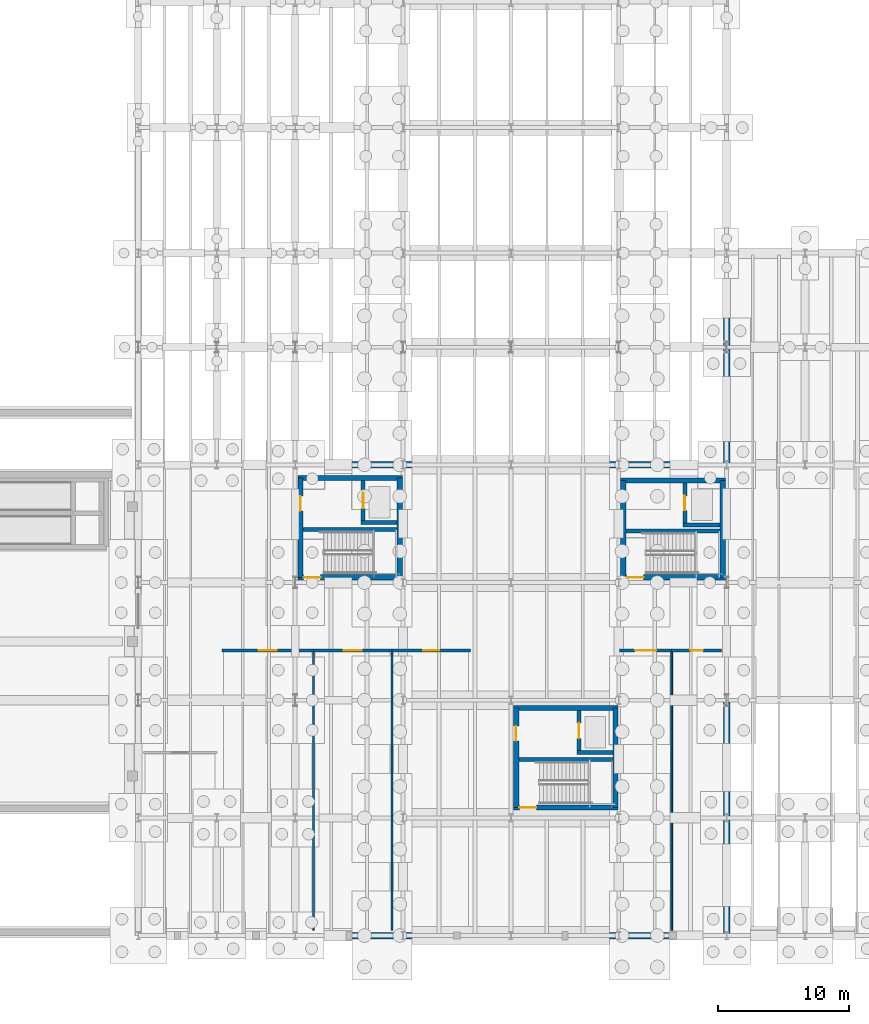
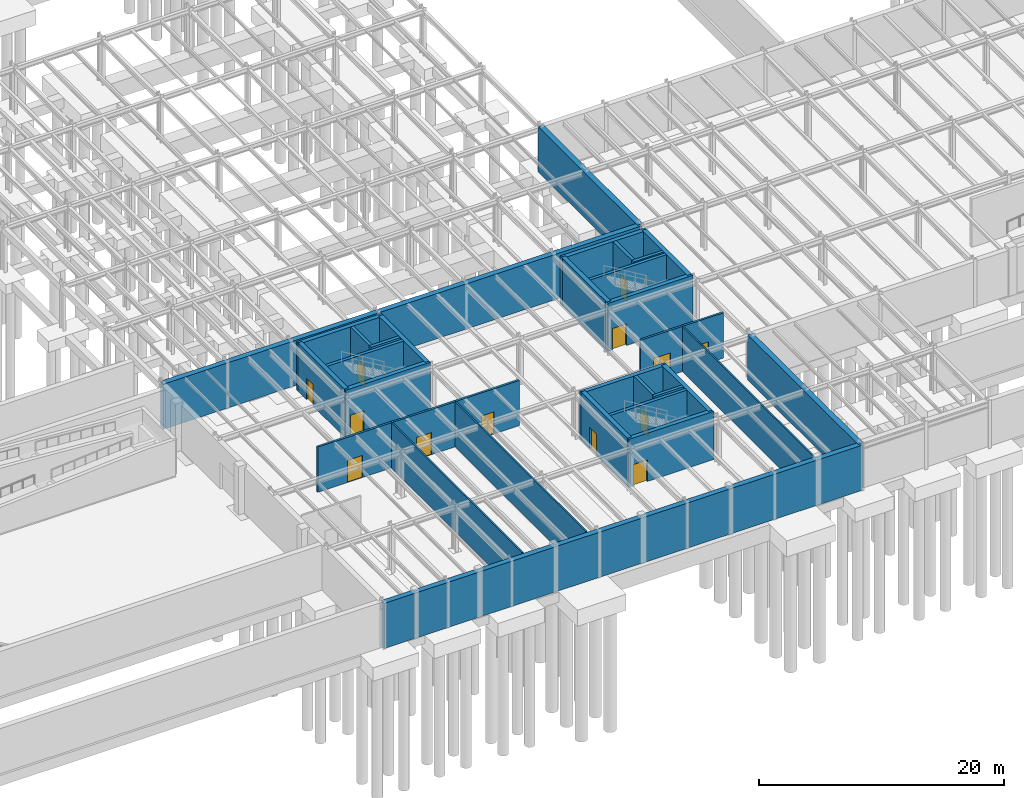
# One storey, part 43 of 59: 33 walls, 13 doors, 13 openings.
"""IFC4 building model written with IfcOpenShell, lengths in metres."""

from ifc_helpers import new_model, si_unit, direction, frame, frame_2d, origin, place, context, subcontext, project, spatial, rectangle, extrude, material, layer, layer_set, type_object, element, fill, save


model = new_model("IFC4")

# Units and contexts
model_context = context("Model", 3, precision=1e-05, world=origin(), true_north=direction((0.0, 1.0)))
body_context = subcontext(model_context, "Body", "Model", "MODEL_VIEW")
ifc_project = project(units=[si_unit("LENGTHUNIT", "METRE"), si_unit("AREAUNIT", "SQUARE_METRE"), si_unit("VOLUMEUNIT", "CUBIC_METRE"), si_unit("PLANEANGLEUNIT", "RADIAN"), si_unit("MASSUNIT", "GRAM", prefix="KILO")], contexts=[model_context])

# Site, building, storey
site_placement = place(None, origin())
site = spatial("IfcSite", under=ifc_project, at=site_placement, CompositionType="ELEMENT")
building_placement = place(site_placement, origin())
building = spatial("IfcBuilding", under=site, at=building_placement, Name="Montealbar Specialist Clinic", CompositionType="ELEMENT")
storey_placement = place(building_placement, frame((0.0, 0.0, -4.800048828125)))
storey = spatial("IfcBuildingStorey", under=building, at=storey_placement, Name="B01", CompositionType="ELEMENT", Elevation=-4.800048828125)

# Walls
ifc_material_1 = material(Name="Concrete C35/45", Category="concrete")
ifc_layer_1 = layer(ifc_material_1, 0.300048828125, Name="Concrete C35/45", Category="concrete")
ifc_layer_set_1 = layer_set([ifc_layer_1], Name="Concrete C35/45")
wall_type_1 = type_object("IfcWallType", Name="WL-CORE-300", PredefinedType="SHEAR", material=ifc_layer_set_1)
wall_1_placement = place(storey_placement, frame((66.60009765625, 31.050048828125, 0.0), z_axis=(0.0, 0.0, 1.0), x_axis=(1.0, 0.0, 0.0)))
element("IfcWall", 1, at=wall_1_placement, inside=storey, type_object=wall_type_1, Name="Core C3 Stairwell Wall B01", PredefinedType="SHEAR", context=body_context, shape_type="SweptSolid", body=[
    extrude(rectangle(XDim=7.199951171875, YDim=0.300048828125, at=frame_2d((3.60009765625, 0.0))), origin(), (0.0, 0.0, 1.0), 4.800048828125),
])
wall_2_placement = place(storey_placement, frame((71.050048828125, 31.60009765625, 0.0), z_axis=(0.0, 0.0, 1.0), x_axis=(1.0, 0.0, 0.0)))
element("IfcWall", 2, at=wall_2_placement, inside=storey, type_object=wall_type_1, Name="Lift FL-01 Shaft Wall B01 LS", PredefinedType="SHEAR", context=body_context, shape_type="SweptSolid", body=[
    extrude(rectangle(XDim=2.75, YDim=0.300048828125, at=frame_2d((1.375, 0.0))), origin(), (0.0, 0.0, 1.0), 4.800048828125),
])

# Wall, opening, door
wall_3_placement = place(storey_placement, frame((71.199951171875, 31.75, 0.0), z_axis=(0.0, 0.0, 1.0), x_axis=(0.0, 1.0, 0.0)))
wall_3 = element("IfcWall", 3, at=wall_3_placement, inside=storey, type_object=wall_type_1, Name="Lift FL-01 Shaft Wall B01 LW", PredefinedType="SHEAR", context=body_context, shape_type="SweptSolid", body=[
    extrude(rectangle(XDim=3.050048828125, YDim=0.300048828125, at=frame_2d((1.52490234375, 0.0))), origin(), (0.0, 0.0, 1.0), 4.800048828125),
])
opening_1_placement = place(wall_3_placement, frame((0.925048828125, 0.0, 0.0)))
opening_1 = element("IfcOpeningElement", 4, at=opening_1_placement, cuts=wall_3, Name="Opening LD-12", PredefinedType="OPENING", context=body_context, shape_type="SweptSolid", body=[
    extrude(rectangle(XDim=1.199951171875, YDim=2.14990234375, at=frame_2d((0.60009765625, 1.074951171875))), frame((0.0, 0.159912109375, 0.0), z_axis=(0.0, -1.0, 0.0), x_axis=(1.0, 0.0, 0.0)), (0.0, 0.0, 1.0), 0.320068359375),
])
ifc_material_2 = material(Name="Steel S355", Category="steel")
door_type_1 = type_object("IfcDoorType", Name="DR-LIFT-LD1200", OperationType="DOUBLE_DOOR_SLIDING", PredefinedType="DOOR", material=ifc_material_2)
door_1_placement = place(opening_1_placement, origin())
door_1 = element("IfcDoor", 5, at=door_1_placement, inside=storey, type_object=door_type_1, Name="Lift FL-01 Sliding Landing Door B01", OperationType="DOUBLE_DOOR_SLIDING", OverallHeight=2.14990234375, OverallWidth=1.199951171875, PredefinedType="DOOR", context=body_context, shape_type="SweptSolid", body=[
    extrude(rectangle(XDim=1.199951171875, YDim=2.14990234375, at=frame_2d((0.60009765625, 1.074951171875))), frame((0.0, 0.02490234375, 0.0), z_axis=(0.0, -1.0, 0.0), x_axis=(1.0, 0.0, 0.0)), (0.0, 0.0, 1.0), 0.050048828125),
])
fill(opening_1, door_1)

# Walls
wall_4_placement = place(storey_placement, frame((83.10009765625, 13.449951171875, 0.0), z_axis=(0.0, 0.0, 1.0), x_axis=(1.0, 0.0, 0.0)))
element("IfcWall", 6, at=wall_4_placement, inside=storey, type_object=wall_type_1, Name="Core C4 Stairwell Wall B01", PredefinedType="SHEAR", context=body_context, shape_type="SweptSolid", body=[
    extrude(rectangle(XDim=7.199951171875, YDim=0.300048828125, at=frame_2d((3.60009765625, 0.0))), origin(), (0.0, 0.0, 1.0), 4.800048828125),
])
wall_5_placement = place(storey_placement, frame((87.550048828125, 14.0, 0.0), z_axis=(0.0, 0.0, 1.0), x_axis=(1.0, 0.0, 0.0)))
element("IfcWall", 7, at=wall_5_placement, inside=storey, type_object=wall_type_1, Name="Lift FL-02 Shaft Wall B01 LS", PredefinedType="SHEAR", context=body_context, shape_type="SweptSolid", body=[
    extrude(rectangle(XDim=2.75, YDim=0.300048828125, at=frame_2d((1.375, 0.0))), origin(), (0.0, 0.0, 1.0), 4.800048828125),
])

# Wall, opening, door
wall_6_placement = place(storey_placement, frame((87.699951171875, 14.14990234375, 0.0), z_axis=(0.0, 0.0, 1.0), x_axis=(0.0, 1.0, 0.0)))
wall_6 = element("IfcWall", 8, at=wall_6_placement, inside=storey, type_object=wall_type_1, Name="Lift FL-02 Shaft Wall B01 LW", PredefinedType="SHEAR", context=body_context, shape_type="SweptSolid", body=[
    extrude(rectangle(XDim=3.050048828125, YDim=0.300048828125, at=frame_2d((1.52490234375, 0.0))), origin(), (0.0, 0.0, 1.0), 4.800048828125),
])
opening_2_placement = place(wall_6_placement, frame((0.925048828125, 0.0, 0.0)))
opening_2 = element("IfcOpeningElement", 9, at=opening_2_placement, cuts=wall_6, Name="Opening LD-12", PredefinedType="OPENING", context=body_context, shape_type="SweptSolid", body=[
    extrude(rectangle(XDim=1.199951171875, YDim=2.14990234375, at=frame_2d((0.60009765625, 1.074951171875))), frame((0.0, 0.159912109375, 0.0), z_axis=(0.0, -1.0, 0.0), x_axis=(1.0, 0.0, 0.0)), (0.0, 0.0, 1.0), 0.320068359375),
])
door_2_placement = place(opening_2_placement, origin())
door_2 = element("IfcDoor", 10, at=door_2_placement, inside=storey, type_object=door_type_1, Name="Lift FL-02 Sliding Landing Door B01", OperationType="DOUBLE_DOOR_SLIDING", OverallHeight=2.14990234375, OverallWidth=1.199951171875, PredefinedType="DOOR", context=body_context, shape_type="SweptSolid", body=[
    extrude(rectangle(XDim=1.199951171875, YDim=2.14990234375, at=frame_2d((0.60009765625, 1.074951171875))), frame((0.0, 0.02490234375, 0.0), z_axis=(0.0, -1.0, 0.0), x_axis=(1.0, 0.0, 0.0)), (0.0, 0.0, 1.0), 0.050048828125),
])
fill(opening_2, door_2)

# Walls
wall_7_placement = place(storey_placement, frame((91.300048828125, 30.949951171875, 0.0), z_axis=(0.0, 0.0, 1.0), x_axis=(1.0, 0.0, 0.0)))
element("IfcWall", 11, at=wall_7_placement, inside=storey, type_object=wall_type_1, Name="Core C5 Stairwell Wall B01", PredefinedType="SHEAR", context=body_context, shape_type="SweptSolid", body=[
    extrude(rectangle(XDim=7.199951171875, YDim=0.300048828125, at=frame_2d((3.60009765625, 0.0))), origin(), (0.0, 0.0, 1.0), 4.800048828125),
])
wall_8_placement = place(storey_placement, frame((95.64990234375, 31.39990234375, 0.0), z_axis=(0.0, 0.0, 1.0), x_axis=(1.0, 0.0, 0.0)))
element("IfcWall", 12, at=wall_8_placement, inside=storey, type_object=wall_type_1, Name="Lift LF-03 Shaft Wall B01 LS", PredefinedType="SHEAR", context=body_context, shape_type="SweptSolid", body=[
    extrude(rectangle(XDim=2.85009765625, YDim=0.300048828125, at=frame_2d((1.425048828125, 0.0))), origin(), (0.0, 0.0, 1.0), 4.800048828125),
])

# Wall, opening, door
wall_9_placement = place(storey_placement, frame((95.800048828125, 31.550048828125, 0.0), z_axis=(0.0, 0.0, 1.0), x_axis=(0.0, 1.0, 0.0)))
wall_9 = element("IfcWall", 13, at=wall_9_placement, inside=storey, type_object=wall_type_1, Name="Lift LF-03 Shaft Wall B01 LW", PredefinedType="SHEAR", context=body_context, shape_type="SweptSolid", body=[
    extrude(rectangle(XDim=3.050048828125, YDim=0.300048828125, at=frame_2d((1.52490234375, 0.0))), origin(), (0.0, 0.0, 1.0), 4.800048828125),
])
opening_3_placement = place(wall_9_placement, frame((0.97509765625, 0.0, 0.0)))
opening_3 = element("IfcOpeningElement", 14, at=opening_3_placement, cuts=wall_9, Name="Opening LD-11", PredefinedType="OPENING", context=body_context, shape_type="SweptSolid", body=[
    extrude(rectangle(XDim=1.10009765625, YDim=2.14990234375, at=frame_2d((0.550048828125, 1.074951171875))), frame((0.0, 0.159912109375, 0.0), z_axis=(0.0, -1.0, 0.0), x_axis=(1.0, 0.0, 0.0)), (0.0, 0.0, 1.0), 0.320068359375),
])
door_type_2 = type_object("IfcDoorType", Name="DR-LIFT-LD1100", OperationType="DOUBLE_DOOR_SLIDING", PredefinedType="DOOR", material=ifc_material_2)
door_3_placement = place(opening_3_placement, origin())
door_3 = element("IfcDoor", 15, at=door_3_placement, inside=storey, type_object=door_type_2, Name="Lift LF-03 Sliding Landing Door B01", OperationType="DOUBLE_DOOR_SLIDING", OverallHeight=2.14990234375, OverallWidth=1.10009765625, PredefinedType="DOOR", context=body_context, shape_type="SweptSolid", body=[
    extrude(rectangle(XDim=1.10009765625, YDim=2.14990234375, at=frame_2d((0.550048828125, 1.074951171875))), frame((0.0, 0.02490234375, 0.0), z_axis=(0.0, -1.0, 0.0), x_axis=(1.0, 0.0, 0.0)), (0.0, 0.0, 1.0), 0.050048828125),
])
fill(opening_3, door_3)

ifc_layer_2 = layer(ifc_material_1, 0.39990234375, Name="Concrete C35/45", Category="concrete")
ifc_layer_set_2 = layer_set([ifc_layer_2], Name="Concrete C35/45")
wall_type_2 = type_object("IfcWallType", Name="WL-CORE-400", PredefinedType="SHEAR", material=ifc_layer_set_2)
wall_10_placement = place(storey_placement, frame((66.199951171875, 27.39990234375, 0.0), z_axis=(0.0, 0.0, 1.0), x_axis=(1.0, 0.0, 0.0)))
wall_10 = element("IfcWall", 16, at=wall_10_placement, inside=storey, type_object=wall_type_2, Name="Core C3 Shear Wall B01 S", PredefinedType="SHEAR", context=body_context, shape_type="SweptSolid", body=[
    extrude(rectangle(XDim=8.0, YDim=0.39990234375, at=frame_2d((4.0, 0.0))), origin(), (0.0, 0.0, 1.0), 4.800048828125),
])
opening_4_placement = place(wall_10_placement, frame((0.449951171875, 0.0, 0.0)))
opening_4 = element("IfcOpeningElement", 17, at=opening_4_placement, cuts=wall_10, Name="Opening SD-13", PredefinedType="OPENING", context=body_context, shape_type="SweptSolid", body=[
    extrude(rectangle(XDim=1.300048828125, YDim=2.14990234375, at=frame_2d((0.64990234375, 1.074951171875))), frame((0.0, 0.2099609375, 0.0), z_axis=(0.0, -1.0, 0.0), x_axis=(1.0, 0.0, 0.0)), (0.0, 0.0, 1.0), 0.419921875),
])
door_type_3 = type_object("IfcDoorType", Name="DR-STAIR-W1300", OperationType="NOTDEFINED", PredefinedType="DOOR", material=ifc_material_2)
door_4_placement = place(opening_4_placement, frame((1.300048828125, 0.0, 0.0), z_axis=(0.0, 0.0, 1.0), x_axis=(-1.0, 0.0, 0.0)))
door_4 = element("IfcDoor", 18, at=door_4_placement, inside=storey, type_object=door_type_3, Name="Protected Core C3 Stair Fire Door B01", OperationType="SINGLE_SWING_RIGHT", OverallHeight=2.14990234375, OverallWidth=1.300048828125, PredefinedType="DOOR", context=body_context, shape_type="SweptSolid", body=[
    extrude(rectangle(XDim=1.300048828125, YDim=2.14990234375, at=frame_2d((0.64990234375, 1.074951171875))), frame((0.0, 0.02490234375, 0.0), z_axis=(0.0, -1.0, 0.0), x_axis=(1.0, 0.0, 0.0)), (0.0, 0.0, 1.0), 0.050048828125),
])
fill(opening_4, door_4)

# Wall
wall_11_placement = place(storey_placement, frame((66.199951171875, 35.0, 0.0), z_axis=(0.0, 0.0, 1.0), x_axis=(1.0, 0.0, 0.0)))
element("IfcWall", 19, at=wall_11_placement, inside=storey, type_object=wall_type_2, Name="Core C3 Shear Wall B01 N", PredefinedType="SHEAR", context=body_context, shape_type="SweptSolid", body=[
    extrude(rectangle(XDim=8.0, YDim=0.39990234375, at=frame_2d((4.0, 0.0))), origin(), (0.0, 0.0, 1.0), 4.800048828125),
])

# Wall, opening, door
wall_12_placement = place(storey_placement, frame((66.39990234375, 27.39990234375, 0.0), z_axis=(0.0, 0.0, 1.0), x_axis=(0.0, 1.0, 0.0)))
wall_12 = element("IfcWall", 20, at=wall_12_placement, inside=storey, type_object=wall_type_2, Name="Core C3 Shear Wall B01 W", PredefinedType="SHEAR", context=body_context, shape_type="SweptSolid", body=[
    extrude(rectangle(XDim=7.60009765625, YDim=0.39990234375, at=frame_2d((3.800048828125, 0.0))), origin(), (0.0, 0.0, 1.0), 4.800048828125),
])
opening_5_placement = place(wall_12_placement, frame((5.090087890625, 0.0, 0.0)))
opening_5 = element("IfcOpeningElement", 21, at=opening_5_placement, cuts=wall_12, Name="Opening FD-110", PredefinedType="OPENING", context=body_context, shape_type="SweptSolid", body=[
    extrude(rectangle(XDim=1.1201171875, YDim=2.14990234375, at=frame_2d((0.56005859375, 1.074951171875))), frame((0.0, 0.2099609375, 0.0), z_axis=(0.0, -1.0, 0.0), x_axis=(1.0, 0.0, 0.0)), (0.0, 0.0, 1.0), 0.419921875),
])
door_type_4 = type_object("IfcDoorType", Name="DR-FIRE-W1100", OperationType="NOTDEFINED", PredefinedType="DOOR", material=ifc_material_2)
door_5_placement = place(opening_5_placement, origin())
door_5 = element("IfcDoor", 22, at=door_5_placement, inside=storey, type_object=door_type_4, Name="Firefighting Lobby C3 Entrance Door B01", OperationType="SINGLE_SWING_RIGHT", OverallHeight=2.14990234375, OverallWidth=1.1201171875, PredefinedType="DOOR", context=body_context, shape_type="SweptSolid", body=[
    extrude(rectangle(XDim=1.1201171875, YDim=2.14990234375, at=frame_2d((0.56005859375, 1.074951171875))), frame((0.0, 0.02490234375, 0.0), z_axis=(0.0, -1.0, 0.0), x_axis=(1.0, 0.0, 0.0)), (0.0, 0.0, 1.0), 0.050048828125),
])
fill(opening_5, door_5)

# Wall
wall_13_placement = place(storey_placement, frame((74.0, 27.39990234375, 0.0), z_axis=(0.0, 0.0, 1.0), x_axis=(0.0, 1.0, 0.0)))
element("IfcWall", 23, at=wall_13_placement, inside=storey, type_object=wall_type_2, Name="Core C3 Shear Wall B01 E", PredefinedType="SHEAR", context=body_context, shape_type="SweptSolid", body=[
    extrude(rectangle(XDim=7.60009765625, YDim=0.39990234375, at=frame_2d((3.800048828125, 0.0))), origin(), (0.0, 0.0, 1.0), 4.800048828125),
])

# Wall, opening, door
wall_14_placement = place(storey_placement, frame((82.699951171875, 9.800048828125, 0.0), z_axis=(0.0, 0.0, 1.0), x_axis=(1.0, 0.0, 0.0)))
wall_14 = element("IfcWall", 24, at=wall_14_placement, inside=storey, type_object=wall_type_2, Name="Core C4 Shear Wall B01 S", PredefinedType="SHEAR", context=body_context, shape_type="SweptSolid", body=[
    extrude(rectangle(XDim=8.0, YDim=0.39990234375, at=frame_2d((4.0, 0.0))), origin(), (0.0, 0.0, 1.0), 4.800048828125),
])
opening_6_placement = place(wall_14_placement, frame((0.449951171875, 0.0, 0.0)))
opening_6 = element("IfcOpeningElement", 25, at=opening_6_placement, cuts=wall_14, Name="Opening SD-13", PredefinedType="OPENING", context=body_context, shape_type="SweptSolid", body=[
    extrude(rectangle(XDim=1.300048828125, YDim=2.14990234375, at=frame_2d((0.64990234375, 1.074951171875))), frame((0.0, 0.2099609375, 0.0), z_axis=(0.0, -1.0, 0.0), x_axis=(1.0, 0.0, 0.0)), (0.0, 0.0, 1.0), 0.419921875),
])
door_6_placement = place(opening_6_placement, frame((1.300048828125, 0.0, 0.0), z_axis=(0.0, 0.0, 1.0), x_axis=(-1.0, 0.0, 0.0)))
door_6 = element("IfcDoor", 26, at=door_6_placement, inside=storey, type_object=door_type_3, Name="Protected Core C4 Stair Fire Door B01", OperationType="SINGLE_SWING_RIGHT", OverallHeight=2.14990234375, OverallWidth=1.300048828125, PredefinedType="DOOR", context=body_context, shape_type="SweptSolid", body=[
    extrude(rectangle(XDim=1.300048828125, YDim=2.14990234375, at=frame_2d((0.64990234375, 1.074951171875))), frame((0.0, 0.02490234375, 0.0), z_axis=(0.0, -1.0, 0.0), x_axis=(1.0, 0.0, 0.0)), (0.0, 0.0, 1.0), 0.050048828125),
])
fill(opening_6, door_6)

# Wall
wall_15_placement = place(storey_placement, frame((82.699951171875, 17.39990234375, 0.0), z_axis=(0.0, 0.0, 1.0), x_axis=(1.0, 0.0, 0.0)))
element("IfcWall", 27, at=wall_15_placement, inside=storey, type_object=wall_type_2, Name="Core C4 Shear Wall B01 N", PredefinedType="SHEAR", context=body_context, shape_type="SweptSolid", body=[
    extrude(rectangle(XDim=8.0, YDim=0.39990234375, at=frame_2d((4.0, 0.0))), origin(), (0.0, 0.0, 1.0), 4.800048828125),
])

# Wall, opening, door
wall_16_placement = place(storey_placement, frame((82.89990234375, 9.800048828125, 0.0), z_axis=(0.0, 0.0, 1.0), x_axis=(0.0, 1.0, 0.0)))
wall_16 = element("IfcWall", 28, at=wall_16_placement, inside=storey, type_object=wall_type_2, Name="Core C4 Shear Wall B01 W", PredefinedType="SHEAR", context=body_context, shape_type="SweptSolid", body=[
    extrude(rectangle(XDim=7.599853515625, YDim=0.39990234375, at=frame_2d((3.7998046875, 0.0))), origin(), (0.0, 0.0, 1.0), 4.800048828125),
])
opening_7_placement = place(wall_16_placement, frame((5.090087890625, 0.0, 0.0)))
opening_7 = element("IfcOpeningElement", 29, at=opening_7_placement, cuts=wall_16, Name="Opening FD-110", PredefinedType="OPENING", context=body_context, shape_type="SweptSolid", body=[
    extrude(rectangle(XDim=1.1201171875, YDim=2.14990234375, at=frame_2d((0.56005859375, 1.074951171875))), frame((0.0, 0.2099609375, 0.0), z_axis=(0.0, -1.0, 0.0), x_axis=(1.0, 0.0, 0.0)), (0.0, 0.0, 1.0), 0.419921875),
])
door_7_placement = place(opening_7_placement, origin())
door_7 = element("IfcDoor", 30, at=door_7_placement, inside=storey, type_object=door_type_4, Name="Firefighting Lobby C4 Entrance Door B01", OperationType="SINGLE_SWING_RIGHT", OverallHeight=2.14990234375, OverallWidth=1.1201171875, PredefinedType="DOOR", context=body_context, shape_type="SweptSolid", body=[
    extrude(rectangle(XDim=1.1201171875, YDim=2.14990234375, at=frame_2d((0.56005859375, 1.074951171875))), frame((0.0, 0.02490234375, 0.0), z_axis=(0.0, -1.0, 0.0), x_axis=(1.0, 0.0, 0.0)), (0.0, 0.0, 1.0), 0.050048828125),
])
fill(opening_7, door_7)

# Wall
wall_17_placement = place(storey_placement, frame((90.5, 9.800048828125, 0.0), z_axis=(0.0, 0.0, 1.0), x_axis=(0.0, 1.0, 0.0)))
element("IfcWall", 31, at=wall_17_placement, inside=storey, type_object=wall_type_2, Name="Core C4 Shear Wall B01 E", PredefinedType="SHEAR", context=body_context, shape_type="SweptSolid", body=[
    extrude(rectangle(XDim=7.599853515625, YDim=0.39990234375, at=frame_2d((3.7998046875, 0.0))), origin(), (0.0, 0.0, 1.0), 4.800048828125),
])

# Wall, opening, door
wall_18_placement = place(storey_placement, frame((90.89990234375, 27.39990234375, 0.0), z_axis=(0.0, 0.0, 1.0), x_axis=(1.0, 0.0, 0.0)))
wall_18 = element("IfcWall", 32, at=wall_18_placement, inside=storey, type_object=wall_type_2, Name="Core C5 Shear Wall B01 S", PredefinedType="SHEAR", context=body_context, shape_type="SweptSolid", body=[
    extrude(rectangle(XDim=8.0, YDim=0.39990234375, at=frame_2d((4.0, 0.0))), origin(), (0.0, 0.0, 1.0), 4.800048828125),
])
opening_8_placement = place(wall_18_placement, frame((0.449951171875, 0.0, 0.0)))
opening_8 = element("IfcOpeningElement", 33, at=opening_8_placement, cuts=wall_18, Name="Opening SD-13", PredefinedType="OPENING", context=body_context, shape_type="SweptSolid", body=[
    extrude(rectangle(XDim=1.300048828125, YDim=2.14990234375, at=frame_2d((0.64990234375, 1.074951171875))), frame((0.0, 0.2099609375, 0.0), z_axis=(0.0, -1.0, 0.0), x_axis=(1.0, 0.0, 0.0)), (0.0, 0.0, 1.0), 0.419921875),
])
door_8_placement = place(opening_8_placement, frame((1.300048828125, 0.0, 0.0), z_axis=(0.0, 0.0, 1.0), x_axis=(-1.0, 0.0, 0.0)))
door_8 = element("IfcDoor", 34, at=door_8_placement, inside=storey, type_object=door_type_3, Name="Protected Core C5 Stair Fire Door B01", OperationType="SINGLE_SWING_RIGHT", OverallHeight=2.14990234375, OverallWidth=1.300048828125, PredefinedType="DOOR", context=body_context, shape_type="SweptSolid", body=[
    extrude(rectangle(XDim=1.300048828125, YDim=2.14990234375, at=frame_2d((0.64990234375, 1.074951171875))), frame((0.0, 0.02490234375, 0.0), z_axis=(0.0, -1.0, 0.0), x_axis=(1.0, 0.0, 0.0)), (0.0, 0.0, 1.0), 0.050048828125),
])
fill(opening_8, door_8)

# Walls
wall_19_placement = place(storey_placement, frame((90.89990234375, 34.800048828125, 0.0), z_axis=(0.0, 0.0, 1.0), x_axis=(1.0, 0.0, 0.0)))
element("IfcWall", 35, at=wall_19_placement, inside=storey, type_object=wall_type_2, Name="Core C5 Shear Wall B01 N", PredefinedType="SHEAR", context=body_context, shape_type="SweptSolid", body=[
    extrude(rectangle(XDim=8.0, YDim=0.39990234375, at=frame_2d((4.0, 0.0))), origin(), (0.0, 0.0, 1.0), 4.800048828125),
])
for number, where, z_axis, x_axis, name in (
    (36, (91.10009765625, 27.39990234375, 0.0), (0.0, 0.0, 1.0), (0.0, 1.0, 0.0), "Core C5 Shear Wall B01 W"),
    (37, (98.699951171875, 27.39990234375, 0.0), (0.0, 0.0, 1.0), (0.0, 1.0, 0.0), "Core C5 Shear Wall B01 E"),
):
    element("IfcWall", number, at=place(storey_placement, frame(where, z_axis=z_axis, x_axis=x_axis)), inside=storey, type_object=wall_type_2, Name=name, PredefinedType="SHEAR", context=body_context, shape_type="SweptSolid", body=[
        extrude(rectangle(XDim=7.400146484375, YDim=0.39990234375, at=frame_2d((3.7001953125, 0.0))), origin(), (0.0, 0.0, 1.0), 4.800048828125),
    ])
ifc_material_3 = material(Name="Gypsum acoustic partition", Category="gypsum")
ifc_layer_3 = layer(ifc_material_3, 0.139892578125, Name="Gypsum acoustic partition", Category="gypsum")
ifc_layer_set_3 = layer_set([ifc_layer_3], Name="Gypsum acoustic partition")
wall_type_3 = type_object("IfcWallType", Name="WL-PART-ACOUSTIC-140", PredefinedType="PARTITIONING", material=ifc_layer_set_3)
for number, where, z_axis, x_axis, name in (
    (38, (67.39990234375, 0.39990234375, 0.0), (0.0, 0.0, 1.0), (0.0, 1.0, 0.0), "Clinical Partition PART-B01-0010"),
    (39, (73.39990234375, 0.39990234375, 0.0), (0.0, 0.0, 1.0), (0.0, 1.0, 0.0), "Clinical Partition PART-B01-0012"),
    (40, (94.800048828125, 0.39990234375, 0.0), (0.0, 0.0, 1.0), (0.0, 1.0, 0.0), "Clinical Partition PART-B01-0015"),
):
    element("IfcWall", number, at=place(storey_placement, frame(where, z_axis=z_axis, x_axis=x_axis)), inside=storey, type_object=wall_type_3, Name=name, PredefinedType="PARTITIONING", context=body_context, shape_type="SweptSolid", body=[
        extrude(rectangle(XDim=21.400146484375, YDim=0.139892578125, at=frame_2d((10.7001953125, 0.0))), origin(), (0.0, 0.0, 1.0), 4.5),
    ])

# Wall, opening, door
ifc_material_4 = material(Name="Concrete C30/37", Category="concrete")
ifc_layer_4 = layer(ifc_material_4, 0.199951171875, Name="Concrete C30/37", Category="concrete")
ifc_layer_set_4 = layer_set([ifc_layer_4], Name="Concrete C30/37")
wall_type_4 = type_object("IfcWallType", Name="WL-PART-FIRE-200", PredefinedType="PARTITIONING", material=ifc_layer_set_4)
wall_20_placement = place(storey_placement, frame((60.39990234375, 21.800048828125, 0.0), z_axis=(0.0, 0.0, 1.0), x_axis=(1.0, 0.0, 0.0)))
wall_20 = element("IfcWall", 41, at=wall_20_placement, inside=storey, type_object=wall_type_4, Name="Clinical Partition PART-B01-0009", PredefinedType="PARTITIONING", context=body_context, shape_type="SweptSolid", body=[
    extrude(rectangle(XDim=7.0, YDim=0.199951171875, at=frame_2d((3.5, 0.0))), origin(), (0.0, 0.0, 1.0), 4.5),
])
opening_9_placement = place(wall_20_placement, frame((2.800048828125, 0.0, 0.0)))
opening_9 = element("IfcOpeningElement", 42, at=opening_9_placement, cuts=wall_20, Name="Opening ID-140", PredefinedType="OPENING", context=body_context, shape_type="SweptSolid", body=[
    extrude(rectangle(XDim=1.39990234375, YDim=2.199951171875, at=frame_2d((0.699951171875, 1.10009765625))), frame((0.0, 0.10986328125, 0.0), z_axis=(0.0, -1.0, 0.0), x_axis=(1.0, 0.0, 0.0)), (0.0, 0.0, 1.0), 0.219970703125),
])
ifc_material_5 = material(Name="Acoustic timber leaf", Category="wood")
door_type_5 = type_object("IfcDoorType", Name="DR-BED-W1400", OperationType="NOTDEFINED", PredefinedType="DOOR", material=ifc_material_5)
door_9_placement = place(opening_9_placement, origin())
door_9 = element("IfcDoor", 43, at=door_9_placement, inside=storey, type_object=door_type_5, Name="Clinical Room Door IDR-B01-0006", OperationType="SINGLE_SWING_RIGHT", OverallHeight=2.199951171875, OverallWidth=1.39990234375, PredefinedType="DOOR", context=body_context, shape_type="SweptSolid", body=[
    extrude(rectangle(XDim=1.39990234375, YDim=2.199951171875, at=frame_2d((0.699951171875, 1.10009765625))), frame((0.0, 0.02490234375, 0.0), z_axis=(0.0, -1.0, 0.0), x_axis=(1.0, 0.0, 0.0)), (0.0, 0.0, 1.0), 0.050048828125),
])
fill(opening_9, door_9)

wall_21_placement = place(storey_placement, frame((67.39990234375, 21.800048828125, 0.0), z_axis=(0.0, 0.0, 1.0), x_axis=(1.0, 0.0, 0.0)))
wall_21 = element("IfcWall", 44, at=wall_21_placement, inside=storey, type_object=wall_type_4, Name="Clinical Partition PART-B01-0011", PredefinedType="PARTITIONING", context=body_context, shape_type="SweptSolid", body=[
    extrude(rectangle(XDim=6.0, YDim=0.199951171875, at=frame_2d((3.0, 0.0))), origin(), (0.0, 0.0, 1.0), 4.5),
])
opening_10_placement = place(wall_21_placement, frame((2.300048828125, 0.0, 0.0)))
opening_10 = element("IfcOpeningElement", 45, at=opening_10_placement, cuts=wall_21, Name="Opening ID-140", PredefinedType="OPENING", context=body_context, shape_type="SweptSolid", body=[
    extrude(rectangle(XDim=1.39990234375, YDim=2.199951171875, at=frame_2d((0.699951171875, 1.10009765625))), frame((0.0, 0.10986328125, 0.0), z_axis=(0.0, -1.0, 0.0), x_axis=(1.0, 0.0, 0.0)), (0.0, 0.0, 1.0), 0.219970703125),
])
door_10_placement = place(opening_10_placement, origin())
door_10 = element("IfcDoor", 46, at=door_10_placement, inside=storey, type_object=door_type_5, Name="Clinical Room Door IDR-B01-0007", OperationType="SINGLE_SWING_LEFT", OverallHeight=2.199951171875, OverallWidth=1.39990234375, PredefinedType="DOOR", context=body_context, shape_type="SweptSolid", body=[
    extrude(rectangle(XDim=1.39990234375, YDim=2.199951171875, at=frame_2d((0.699951171875, 1.10009765625))), frame((0.0, 0.02490234375, 0.0), z_axis=(0.0, -1.0, 0.0), x_axis=(1.0, 0.0, 0.0)), (0.0, 0.0, 1.0), 0.050048828125),
])
fill(opening_10, door_10)

wall_22_placement = place(storey_placement, frame((73.39990234375, 21.800048828125, 0.0), z_axis=(0.0, 0.0, 1.0), x_axis=(1.0, 0.0, 0.0)))
wall_22 = element("IfcWall", 47, at=wall_22_placement, inside=storey, type_object=wall_type_4, Name="Clinical Partition PART-B01-0013", PredefinedType="PARTITIONING", context=body_context, shape_type="SweptSolid", body=[
    extrude(rectangle(XDim=6.0, YDim=0.199951171875, at=frame_2d((3.0, 0.0))), origin(), (0.0, 0.0, 1.0), 4.5),
])
opening_11_placement = place(wall_22_placement, frame((2.39990234375, 0.0, 0.0)))
opening_11 = element("IfcOpeningElement", 48, at=opening_11_placement, cuts=wall_22, Name="Opening ID-120", PredefinedType="OPENING", context=body_context, shape_type="SweptSolid", body=[
    extrude(rectangle(XDim=1.199951171875, YDim=2.199951171875, at=frame_2d((0.60009765625, 1.10009765625))), frame((0.0, 0.10986328125, 0.0), z_axis=(0.0, -1.0, 0.0), x_axis=(1.0, 0.0, 0.0)), (0.0, 0.0, 1.0), 0.219970703125),
])
door_type_6 = type_object("IfcDoorType", Name="DR-CLIN-W1200", OperationType="NOTDEFINED", PredefinedType="DOOR", material=ifc_material_5)
door_11_placement = place(opening_11_placement, origin())
door_11 = element("IfcDoor", 49, at=door_11_placement, inside=storey, type_object=door_type_6, Name="Clinical Room Door IDR-B01-0008", OperationType="SINGLE_SWING_RIGHT", OverallHeight=2.199951171875, OverallWidth=1.199951171875, PredefinedType="DOOR", context=body_context, shape_type="SweptSolid", body=[
    extrude(rectangle(XDim=1.199951171875, YDim=2.199951171875, at=frame_2d((0.60009765625, 1.10009765625))), frame((0.0, 0.02490234375, 0.0), z_axis=(0.0, -1.0, 0.0), x_axis=(1.0, 0.0, 0.0)), (0.0, 0.0, 1.0), 0.050048828125),
])
fill(opening_11, door_11)

wall_23_placement = place(storey_placement, frame((90.800048828125, 21.800048828125, 0.0), z_axis=(0.0, 0.0, 1.0), x_axis=(1.0, 0.0, 0.0)))
wall_23 = element("IfcWall", 50, at=wall_23_placement, inside=storey, type_object=wall_type_4, Name="Clinical Partition PART-B01-0014", PredefinedType="PARTITIONING", context=body_context, shape_type="SweptSolid", body=[
    extrude(rectangle(XDim=4.0, YDim=0.199951171875, at=frame_2d((2.0, 0.0))), origin(), (0.0, 0.0, 1.0), 4.5),
])
opening_12_placement = place(wall_23_placement, frame((1.199951171875, 0.0, 0.0)))
opening_12 = element("IfcOpeningElement", 51, at=opening_12_placement, cuts=wall_23, Name="Opening PD-160", PredefinedType="OPENING", context=body_context, shape_type="SweptSolid", body=[
    extrude(rectangle(XDim=1.60009765625, YDim=2.25, at=frame_2d((0.800048828125, 1.125))), frame((0.0, 0.10986328125, 0.0), z_axis=(0.0, -1.0, 0.0), x_axis=(1.0, 0.0, 0.0)), (0.0, 0.0, 1.0), 0.219970703125),
])
door_type_7 = type_object("IfcDoorType", Name="DR-PLANT-W1600", OperationType="DOUBLE_DOOR_SINGLE_SWING", PredefinedType="DOOR", material=ifc_material_5)
door_12_placement = place(opening_12_placement, origin())
door_12 = element("IfcDoor", 52, at=door_12_placement, inside=storey, type_object=door_type_7, Name="Clinical Room Door IDR-B01-0009", OperationType="DOUBLE_DOOR_SINGLE_SWING", OverallHeight=2.25, OverallWidth=1.60009765625, PredefinedType="DOOR", context=body_context, shape_type="SweptSolid", body=[
    extrude(rectangle(XDim=1.60009765625, YDim=2.25, at=frame_2d((0.800048828125, 1.125))), frame((0.0, 0.02490234375, 0.0), z_axis=(0.0, -1.0, 0.0), x_axis=(1.0, 0.0, 0.0)), (0.0, 0.0, 1.0), 0.050048828125),
])
fill(opening_12, door_12)

wall_24_placement = place(storey_placement, frame((94.800048828125, 21.800048828125, 0.0), z_axis=(0.0, 0.0, 1.0), x_axis=(1.0, 0.0, 0.0)))
wall_24 = element("IfcWall", 53, at=wall_24_placement, inside=storey, type_object=wall_type_4, Name="Clinical Partition PART-B01-0016", PredefinedType="PARTITIONING", context=body_context, shape_type="SweptSolid", body=[
    extrude(rectangle(XDim=3.800048828125, YDim=0.199951171875, at=frame_2d((1.89990234375, 0.0))), origin(), (0.0, 0.0, 1.0), 4.5),
])
opening_13_placement = place(wall_24_placement, frame((1.425048828125, 0.0, 0.0)))
opening_13 = element("IfcOpeningElement", 54, at=opening_13_placement, cuts=wall_24, Name="Opening ID-095", PredefinedType="OPENING", context=body_context, shape_type="SweptSolid", body=[
    extrude(rectangle(XDim=0.949951171875, YDim=2.10009765625, at=frame_2d((0.47509765625, 1.050048828125))), frame((0.0, 0.10986328125, 0.0), z_axis=(0.0, -1.0, 0.0), x_axis=(1.0, 0.0, 0.0)), (0.0, 0.0, 1.0), 0.219970703125),
])
door_type_8 = type_object("IfcDoorType", Name="DR-WC-W0950", OperationType="NOTDEFINED", PredefinedType="DOOR", material=ifc_material_5)
door_13_placement = place(opening_13_placement, origin())
door_13 = element("IfcDoor", 55, at=door_13_placement, inside=storey, type_object=door_type_8, Name="Clinical Room Door IDR-B01-0010", OperationType="SINGLE_SWING_LEFT", OverallHeight=2.10009765625, OverallWidth=0.949951171875, PredefinedType="DOOR", context=body_context, shape_type="SweptSolid", body=[
    extrude(rectangle(XDim=0.949951171875, YDim=2.10009765625, at=frame_2d((0.47509765625, 1.050048828125))), frame((0.0, 0.02490234375, 0.0), z_axis=(0.0, -1.0, 0.0), x_axis=(1.0, 0.0, 0.0)), (0.0, 0.0, 1.0), 0.050048828125),
])
fill(opening_13, door_13)

# Walls
ifc_layer_5 = layer(ifc_material_1, 0.5, Name="Concrete C35/45", Category="concrete")
ifc_layer_set_5 = layer_set([ifc_layer_5], Name="Concrete C35/45")
wall_type_5 = type_object("IfcWallType", Name="WL-RET-500", PredefinedType="SOLIDWALL", material=ifc_layer_set_5)
wall_25_placement = place(storey_placement, frame((54.0, 36.0, 0.0), z_axis=(0.0, 0.0, 1.0), x_axis=(1.0, 0.0, 0.0)))
element("IfcWall", 56, at=wall_25_placement, inside=storey, type_object=wall_type_5, Name="Basement Retaining Wall B01-02", PredefinedType="SOLIDWALL", context=body_context, shape_type="SweptSolid", body=[
    extrude(rectangle(XDim=45.0, YDim=0.5, at=frame_2d((22.5, 0.0))), origin(), (0.0, 0.0, 1.0), 4.5),
])
wall_26_placement = place(storey_placement, frame((99.0, 36.0, 0.0), z_axis=(0.0, 0.0, 1.0), x_axis=(0.0, 1.0, 0.0)))
element("IfcWall", 57, at=wall_26_placement, inside=storey, type_object=wall_type_5, Name="Basement Retaining Wall B01-03", PredefinedType="SOLIDWALL", context=body_context, shape_type="SweptSolid", body=[
    extrude(rectangle(XDim=16.199951171875, YDim=0.5, at=frame_2d((8.10009765625, 0.0))), origin(), (0.0, 0.0, 1.0), 4.5),
])
wall_27_placement = place(storey_placement, frame((99.0, 18.0, 0.0), z_axis=(0.0, 0.0, 1.0), x_axis=(0.0, -1.0, 0.0)))
element("IfcWall", 58, at=wall_27_placement, inside=storey, type_object=wall_type_5, Name="Basement Retaining Wall B01-08", PredefinedType="SOLIDWALL", context=body_context, shape_type="SweptSolid", body=[
    extrude(rectangle(XDim=18.0, YDim=0.5, at=frame_2d((9.0, 0.0))), origin(), (0.0, 0.0, 1.0), 4.5),
])
wall_28_placement = place(storey_placement, frame((99.0, 0.0, 0.0), z_axis=(0.0, 0.0, 1.0), x_axis=(-1.0, 0.0, 0.0)))
element("IfcWall", 59, at=wall_28_placement, inside=storey, type_object=wall_type_5, Name="Basement Retaining Wall B01-09", PredefinedType="SOLIDWALL", context=body_context, shape_type="SweptSolid", body=[
    extrude(rectangle(XDim=45.0, YDim=0.5, at=frame_2d((22.5, 0.0))), origin(), (0.0, 0.0, 1.0), 4.5),
])

save(model, "model.ifc")
